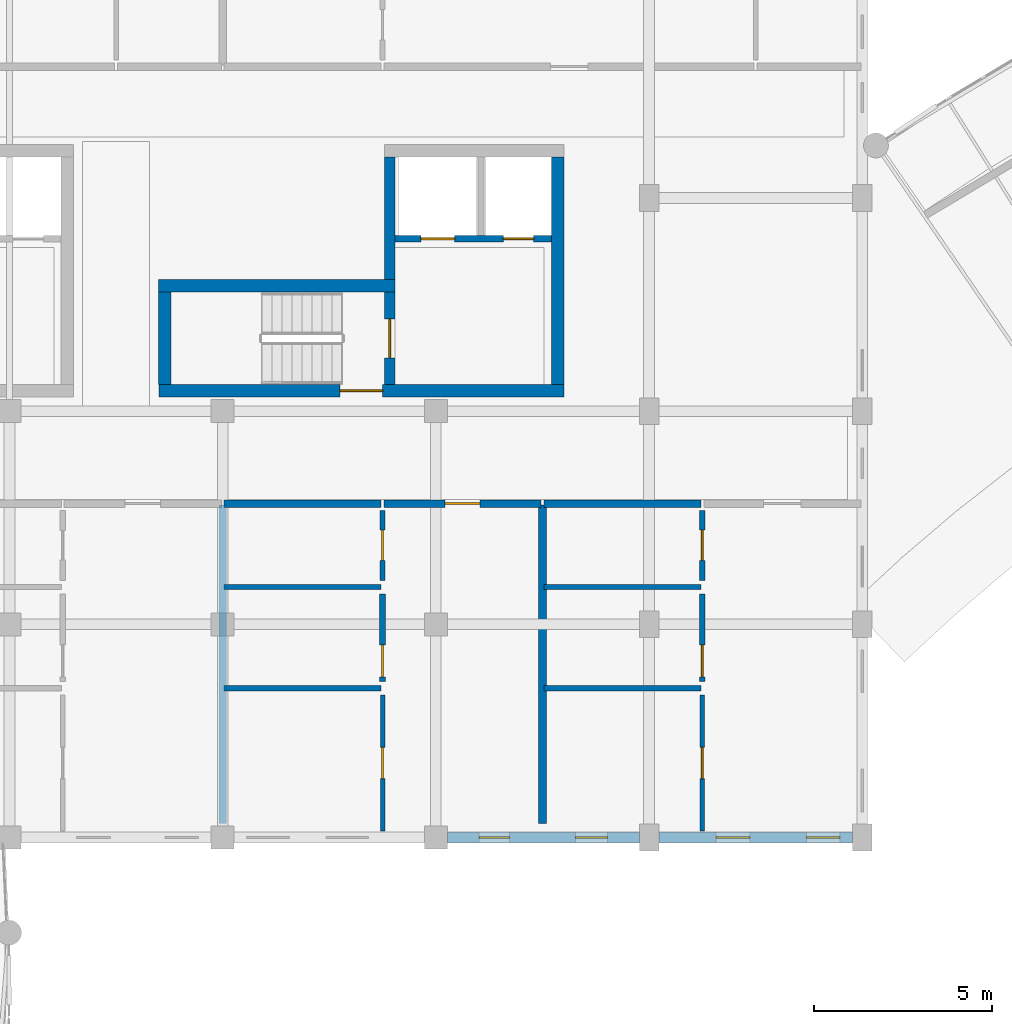
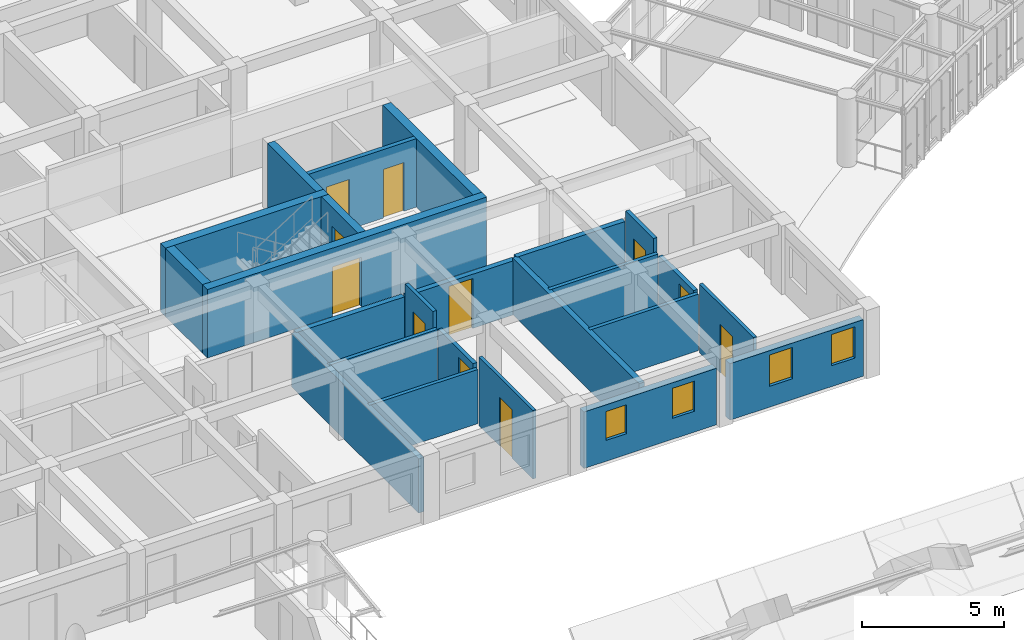
# One storey, part 90 of 123: 24 walls, 11 doors, 4 windows, 15 openings.
"""IFC4 building model written with IfcOpenShell, lengths in metres."""

from ifc_helpers import new_model, si_unit, direction, frame, frame_2d, origin, place, context, subcontext, project, spatial, rectangle, extrude, material, layer, layer_set, type_object, element, fill, save


model = new_model("IFC4")

# Units and contexts
model_context = context("Model", 3, precision=1e-05, world=origin(), true_north=direction((0.0, 1.0)))
body_context = subcontext(model_context, "Body", "Model", "MODEL_VIEW")
ifc_project = project(units=[si_unit("LENGTHUNIT", "METRE"), si_unit("AREAUNIT", "SQUARE_METRE"), si_unit("VOLUMEUNIT", "CUBIC_METRE"), si_unit("PLANEANGLEUNIT", "RADIAN"), si_unit("MASSUNIT", "GRAM", prefix="KILO"), si_unit("POWERUNIT", "WATT"), si_unit("THERMODYNAMICTEMPERATUREUNIT", "KELVIN")], contexts=[model_context])

# Site, building, storey
site_placement = place(None, origin())
site = spatial("IfcSite", under=ifc_project, at=site_placement, CompositionType="ELEMENT")
building_placement = place(site_placement, origin())
building = spatial("IfcBuilding", under=site, at=building_placement, Name="Ruvembo Vaulted Housing Court", CompositionType="ELEMENT")
storey_placement = place(building_placement, frame((0.0, 0.0, 7.699951171875)))
storey = spatial("IfcBuildingStorey", under=building, at=storey_placement, Name="L02", CompositionType="ELEMENT", Elevation=7.699951171875)

# Wall, opening, door
ifc_material_1 = material(Name="Concrete C35/45", Category="concrete")
ifc_layer_1 = layer(ifc_material_1, 0.300048828125, Name="Concrete C35/45")
ifc_layer_set_1 = layer_set([ifc_layer_1], Name="Concrete C35/45")
wall_type_1 = type_object("IfcWallType", Name="WL-CORE-300", PredefinedType="SHEAR", material=ifc_layer_set_1)
wall_1_placement = place(storey_placement, frame((70.699951171875, 90.75, 0.0), z_axis=(0.0, 0.0, 1.0), x_axis=(0.0, 1.0, 0.0)))
wall_1 = element("IfcWall", 1, at=wall_1_placement, inside=storey, type_object=wall_type_1, Name="Core B2 L02 Stair-Lobby Shear Wall", PredefinedType="SHEAR", context=body_context, shape_type="SweptSolid", body=[
    extrude(rectangle(XDim=2.60009765625, YDim=0.300048828125, at=frame_2d((1.300048828125, 0.0))), origin(), (0.0, 0.0, 1.0), 2.955078125),
])
opening_1_placement = place(wall_1_placement, frame((0.75, 0.0, 0.0)))
opening_1 = element("IfcOpeningElement", 2, at=opening_1_placement, cuts=wall_1, Name="Opening SD2", PredefinedType="OPENING", context=body_context, shape_type="SweptSolid", body=[
    extrude(rectangle(XDim=1.10009765625, YDim=2.14990234375, at=frame_2d((0.550048828125, 1.074951171875))), frame((0.0, 0.159912109375, 0.0), z_axis=(0.0, -1.0, 0.0), x_axis=(1.0, 0.0, 0.0)), (0.0, 0.0, 1.0), 0.320068359375),
])
ifc_material_2 = material(Name="Galvanised Painted Steel", Category="steel")
door_type_1 = type_object("IfcDoorType", Name="DR-STAIR-1100x2150", OperationType="NOTDEFINED", PredefinedType="DOOR", material=ifc_material_2)
door_1_placement = place(opening_1_placement, origin())
door_1 = element("IfcDoor", 3, at=door_1_placement, inside=storey, type_object=door_type_1, Name="Stair ST-B2 L02 Fire Door", OperationType="SINGLE_SWING_RIGHT", OverallHeight=2.14990234375, OverallWidth=1.10009765625, PredefinedType="DOOR", context=body_context, shape_type="SweptSolid", body=[
    extrude(rectangle(XDim=1.10009765625, YDim=2.14990234375, at=frame_2d((0.550048828125, 1.074951171875))), frame((0.0, 0.02490234375, 0.0), z_axis=(0.0, -1.0, 0.0), x_axis=(1.0, 0.0, 0.0)), (0.0, 0.0, 1.0), 0.050048828125),
])
fill(opening_1, door_1)

# Wall
wall_2_placement = place(storey_placement, frame((70.699951171875, 93.699951171875, 0.0), z_axis=(0.0, 0.0, 1.0), x_axis=(0.0, 1.0, 0.0)))
element("IfcWall", 4, at=wall_2_placement, inside=storey, type_object=wall_type_1, Name="Core B2 L02 Upper West Shear Wall", PredefinedType="SHEAR", context=body_context, shape_type="SweptSolid", body=[
    extrude(rectangle(XDim=3.449951171875, YDim=0.300048828125, at=frame_2d((1.72509765625, 0.0))), origin(), (0.0, 0.0, 1.0), 2.955078125),
])

# Wall, opening, door
ifc_layer_2 = layer(ifc_material_1, 0.35009765625, Name="Concrete C35/45")
ifc_layer_set_2 = layer_set([ifc_layer_2], Name="Concrete C35/45")
wall_type_2 = type_object("IfcWallType", Name="WL-CORE-350", PredefinedType="SHEAR", material=ifc_layer_set_2)
wall_3_placement = place(storey_placement, frame((64.199951171875, 90.574951171875, 0.0), z_axis=(0.0, 0.0, 1.0), x_axis=(1.0, 0.0, 0.0)))
wall_3 = element("IfcWall", 5, at=wall_3_placement, inside=storey, type_object=wall_type_2, Name="Core B2 L02 South Shear Wall", PredefinedType="SHEAR", context=body_context, shape_type="SweptSolid", body=[
    extrude(rectangle(XDim=11.400146484375, YDim=0.35009765625, at=frame_2d((5.7001953125, 0.0))), origin(), (0.0, 0.0, 1.0), 2.955078125),
])
opening_2_placement = place(wall_3_placement, frame((5.10009765625, 0.0, 0.0)))
opening_2 = element("IfcOpeningElement", 6, at=opening_2_placement, cuts=wall_3, Name="Opening LD3", PredefinedType="OPENING", context=body_context, shape_type="SweptSolid", body=[
    extrude(rectangle(XDim=1.199951171875, YDim=2.14990234375, at=frame_2d((0.60009765625, 1.074951171875))), frame((0.0, 0.18505859375, 0.0), z_axis=(0.0, -1.0, 0.0), x_axis=(1.0, 0.0, 0.0)), (0.0, 0.0, 1.0), 0.3701171875),
])
door_type_2 = type_object("IfcDoorType", Name="DR-LOB-1200x2150", OperationType="NOTDEFINED", PredefinedType="DOOR", material=ifc_material_2)
door_2_placement = place(opening_2_placement, origin())
door_2 = element("IfcDoor", 7, at=door_2_placement, inside=storey, type_object=door_type_2, Name="Core B2 L02 Lobby Fire Door", OperationType="SINGLE_SWING_LEFT", OverallHeight=2.14990234375, OverallWidth=1.199951171875, PredefinedType="DOOR", context=body_context, shape_type="SweptSolid", body=[
    extrude(rectangle(XDim=1.199951171875, YDim=2.14990234375, at=frame_2d((0.60009765625, 1.074951171875))), frame((0.0, 0.02490234375, 0.0), z_axis=(0.0, -1.0, 0.0), x_axis=(1.0, 0.0, 0.0)), (0.0, 0.0, 1.0), 0.050048828125),
])
fill(opening_2, door_2)

# Walls
wall_4_placement = place(storey_placement, frame((70.85009765625, 93.52490234375, 0.0), z_axis=(0.0, 0.0, 1.0), x_axis=(-1.0, 0.0, 0.0)))
element("IfcWall", 8, at=wall_4_placement, inside=storey, type_object=wall_type_2, Name="Core B2 L02 Stair North Shear Wall", PredefinedType="SHEAR", context=body_context, shape_type="SweptSolid", body=[
    extrude(rectangle(XDim=6.650146484375, YDim=0.35009765625, at=frame_2d((3.3251953125, 0.0))), origin(), (0.0, 0.0, 1.0), 2.955078125),
])
wall_5_placement = place(storey_placement, frame((64.375, 93.35009765625, 0.0), z_axis=(0.0, 0.0, 1.0), x_axis=(0.0, -1.0, 0.0)))
element("IfcWall", 9, at=wall_5_placement, inside=storey, type_object=wall_type_2, Name="Core B2 L02 Stair West Shear Wall", PredefinedType="SHEAR", context=body_context, shape_type="SweptSolid", body=[
    extrude(rectangle(XDim=2.60009765625, YDim=0.35009765625, at=frame_2d((1.300048828125, 0.0))), origin(), (0.0, 0.0, 1.0), 2.955078125),
])
wall_6_placement = place(storey_placement, frame((75.425048828125, 90.75, 0.0), z_axis=(0.0, 0.0, 1.0), x_axis=(0.0, 1.0, 0.0)))
element("IfcWall", 10, at=wall_6_placement, inside=storey, type_object=wall_type_2, Name="Core B2 L02 East Shear Wall", PredefinedType="SHEAR", context=body_context, shape_type="SweptSolid", body=[
    extrude(rectangle(XDim=6.39990234375, YDim=0.35009765625, at=frame_2d((3.199951171875, 0.0))), origin(), (0.0, 0.0, 1.0), 2.955078125),
])
ifc_material_3 = material(Name="Concrete Blockwork 210", Category="masonry")
ifc_layer_3 = layer(ifc_material_3, 0.2099609375, Name="Concrete Blockwork 210")
ifc_layer_set_3 = layer_set([ifc_layer_3], Name="Concrete Blockwork 210")
wall_type_3 = type_object("IfcWallType", Name="WL-CORR-210", PredefinedType="SOLIDWALL", material=ifc_layer_set_3)
wall_7_placement = place(storey_placement, frame((66.0400390625, 87.39990234375, 0.0), z_axis=(0.0, 0.0, 1.0), x_axis=(1.0, 0.0, 0.0)))
element("IfcWall", 11, at=wall_7_placement, inside=storey, type_object=wall_type_3, Name="L02 Flat B-L02-S3 Corridor Wall WL-INT-L02-00549", PredefinedType="SOLIDWALL", context=body_context, shape_type="SweptSolid", body=[
    extrude(rectangle(XDim=4.419921875, YDim=0.2099609375, at=frame_2d((2.2099609375, 0.0))), origin(), (0.0, 0.0, 1.0), 2.337158203125),
])

# Wall, opening, door
wall_8_placement = place(storey_placement, frame((70.5400390625, 87.39990234375, 0.0), z_axis=(0.0, 0.0, 1.0), x_axis=(1.0, 0.0, 0.0)))
wall_8 = element("IfcWall", 12, at=wall_8_placement, inside=storey, type_object=wall_type_3, Name="L02 Flat B-L02-S3 Entrance WL-INT-L02-00550", PredefinedType="SOLIDWALL", context=body_context, shape_type="SweptSolid", body=[
    extrude(rectangle(XDim=4.419921875, YDim=0.2099609375, at=frame_2d((2.2099609375, 0.0))), origin(), (0.0, 0.0, 1.0), 2.337158203125),
])
opening_3_placement = place(wall_8_placement, frame((1.719970703125, 0.0, 0.0)))
opening_3 = element("IfcOpeningElement", 13, at=opening_3_placement, cuts=wall_8, Name="Opening FD2", PredefinedType="OPENING", context=body_context, shape_type="SweptSolid", body=[
    extrude(rectangle(XDim=0.97998046875, YDim=2.14990234375, at=frame_2d((0.489990234375, 1.074951171875))), frame((0.0, 0.114990234375, 0.0), z_axis=(0.0, -1.0, 0.0), x_axis=(1.0, 0.0, 0.0)), (0.0, 0.0, 1.0), 0.22998046875),
])
ifc_material_4 = material(Name="FSC Hardwood and Engineered Timber", Category="wood")
door_type_3 = type_object("IfcDoorType", Name="DR-FLAT-0980x2150", OperationType="NOTDEFINED", PredefinedType="DOOR", material=ifc_material_4)
door_3_placement = place(opening_3_placement, origin())
door_3 = element("IfcDoor", 14, at=door_3_placement, inside=storey, type_object=door_type_3, Name="L02 Flat B-L02-S3 Entrance Door DR-INT-L02-00298", OperationType="SINGLE_SWING_RIGHT", OverallHeight=2.14990234375, OverallWidth=0.97998046875, PredefinedType="DOOR", context=body_context, shape_type="SweptSolid", body=[
    extrude(rectangle(XDim=0.97998046875, YDim=2.14990234375, at=frame_2d((0.489990234375, 1.074951171875))), frame((0.0, 0.02490234375, 0.0), z_axis=(0.0, -1.0, 0.0), x_axis=(1.0, 0.0, 0.0)), (0.0, 0.0, 1.0), 0.050048828125),
])
fill(opening_3, door_3)

# Walls
wall_9_placement = place(storey_placement, frame((75.0400390625, 87.39990234375, 0.0), z_axis=(0.0, 0.0, 1.0), x_axis=(1.0, 0.0, 0.0)))
element("IfcWall", 15, at=wall_9_placement, inside=storey, type_object=wall_type_3, Name="L02 Flat B-L02-S4 Corridor Wall WL-INT-L02-00556", PredefinedType="SOLIDWALL", context=body_context, shape_type="SweptSolid", body=[
    extrude(rectangle(XDim=4.419921875, YDim=0.2099609375, at=frame_2d((2.2099609375, 0.0))), origin(), (0.0, 0.0, 1.0), 2.43701171875),
])
ifc_material_5 = material(Name="Acoustic Masonry Demising 220", Category="masonry")
ifc_layer_4 = layer(ifc_material_5, 0.219970703125, Name="Acoustic Masonry Demising 220")
ifc_layer_set_4 = layer_set([ifc_layer_4], Name="Acoustic Masonry Demising 220")
wall_type_4 = type_object("IfcWallType", Name="WL-DEM-200", PredefinedType="SOLIDWALL", material=ifc_layer_set_4)
wall_10_placement = place(storey_placement, frame((66.0, 78.389892578125, 0.0), z_axis=(0.0, 0.0, 1.0), x_axis=(0.0, 1.0, 0.0)))
element("IfcWall", 16, at=wall_10_placement, inside=storey, type_object=wall_type_4, Name="L02 Demising B-L02-S2 WL-INT-L02-00540", PredefinedType="SOLIDWALL", context=body_context, shape_type="SweptSolid", body=[
    extrude(rectangle(XDim=8.97021484375, YDim=0.219970703125, at=frame_2d((4.485107421875, 0.0))), origin(), (0.0, 0.0, 1.0), 2.337158203125),
])
wall_11_placement = place(storey_placement, frame((75.0, 78.389892578125, 0.0), z_axis=(0.0, 0.0, 1.0), x_axis=(0.0, 1.0, 0.0)))
element("IfcWall", 17, at=wall_11_placement, inside=storey, type_object=wall_type_4, Name="L02 Demising B-L02-S3 WL-INT-L02-00548", PredefinedType="SOLIDWALL", context=body_context, shape_type="SweptSolid", body=[
    extrude(rectangle(XDim=8.97021484375, YDim=0.219970703125, at=frame_2d((4.485107421875, 0.0))), origin(), (0.0, 0.0, 1.0), 2.43701171875),
])

# Wall, openings, windows
ifc_material_6 = material(Name="Rendered Masonry 300", Category="masonry")
ifc_layer_5 = layer(ifc_material_6, 0.300048828125, Name="Rendered Masonry 300")
ifc_layer_set_5 = layer_set([ifc_layer_5], Name="Rendered Masonry 300")
wall_type_5 = type_object("IfcWallType", Name="WL-EXT-300", PredefinedType="STANDARD", material=ifc_layer_set_5)
wall_12_placement = place(storey_placement, frame((72.324951171875, 78.0, 0.0), z_axis=(0.0, 0.0, 1.0), x_axis=(1.0, 0.0, 0.0)))
wall_12 = element("IfcWall", 18, at=wall_12_placement, inside=storey, type_object=wall_type_5, Name="Block B L02 Exterior Wall COURTYARD #5", PredefinedType="STANDARD", context=body_context, shape_type="SweptSolid", body=[
    extrude(rectangle(XDim=5.400146484375, YDim=0.300048828125, at=frame_2d((2.7001953125, 0.0))), origin(), (0.0, 0.0, 1.0), 2.43701171875),
])
opening_4_placement = place(wall_12_placement, frame((0.892578125, 0.0, 0.89990234375)))
opening_4 = element("IfcOpeningElement", 19, at=opening_4_placement, cuts=wall_12, Name="Opening W03", PredefinedType="OPENING", context=body_context, shape_type="SweptSolid", body=[
    extrude(rectangle(XDim=0.85009765625, YDim=1.25, at=frame_2d((0.425048828125, 0.625))), frame((0.0, 0.159912109375, 0.0), z_axis=(0.0, -1.0, 0.0), x_axis=(1.0, 0.0, 0.0)), (0.0, 0.0, 1.0), 0.320068359375),
])
opening_5_placement = place(wall_12_placement, frame((3.607421875, 0.0, 0.89990234375)))
opening_5 = element("IfcOpeningElement", 20, at=opening_5_placement, cuts=wall_12, Name="Opening W04", PredefinedType="OPENING", context=body_context, shape_type="SweptSolid", body=[
    extrude(rectangle(XDim=0.89990234375, YDim=1.300048828125, at=frame_2d((0.449951171875, 0.64990234375))), frame((0.0, 0.159912109375, 0.0), z_axis=(0.0, -1.0, 0.0), x_axis=(1.0, 0.0, 0.0)), (0.0, 0.0, 1.0), 0.320068359375),
])
ifc_material_7 = material(Name="Double Solar-Control Glazing in Aluminium Frame", Category="aluminium")
window_type_1 = type_object("IfcWindowType", Name="WIN-0850x1250", PartitioningType="SINGLE_PANEL", PredefinedType="WINDOW", material=ifc_material_7)
window_1_placement = place(opening_4_placement, origin())
window_1 = element("IfcWindow", 21, at=window_1_placement, inside=storey, type_object=window_type_1, Name="Block B L02 Window #691", OverallHeight=1.25, OverallWidth=0.85009765625, PartitioningType="SINGLE_PANEL", PredefinedType="WINDOW", context=body_context, shape_type="SweptSolid", body=[
    extrude(rectangle(XDim=0.85009765625, YDim=1.25, at=frame_2d((0.425048828125, 0.625))), frame((0.0, 0.030029296875, 0.0), z_axis=(0.0, -1.0, 0.0), x_axis=(1.0, 0.0, 0.0)), (0.0, 0.0, 1.0), 0.06005859375),
])
fill(opening_4, window_1)
window_type_2 = type_object("IfcWindowType", Name="WIN-0900x1300", PartitioningType="SINGLE_PANEL", PredefinedType="WINDOW", material=ifc_material_7)
window_2_placement = place(opening_5_placement, origin())
window_2 = element("IfcWindow", 22, at=window_2_placement, inside=storey, type_object=window_type_2, Name="Block B L02 Window #692", OverallHeight=1.300048828125, OverallWidth=0.89990234375, PartitioningType="SINGLE_PANEL", PredefinedType="WINDOW", context=body_context, shape_type="SweptSolid", body=[
    extrude(rectangle(XDim=0.89990234375, YDim=1.300048828125, at=frame_2d((0.449951171875, 0.64990234375))), frame((0.0, 0.030029296875, 0.0), z_axis=(0.0, -1.0, 0.0), x_axis=(1.0, 0.0, 0.0)), (0.0, 0.0, 1.0), 0.06005859375),
])
fill(opening_5, window_2)

wall_13_placement = place(storey_placement, frame((78.27490234375, 78.0, 0.0), z_axis=(0.0, 0.0, 1.0), x_axis=(1.0, 0.0, 0.0)))
wall_13 = element("IfcWall", 23, at=wall_13_placement, inside=storey, type_object=wall_type_5, Name="Block B L02 Exterior Wall COURTYARD #6", PredefinedType="STANDARD", context=body_context, shape_type="SweptSolid", body=[
    extrude(rectangle(XDim=5.4501953125, YDim=0.300048828125, at=frame_2d((2.72509765625, 0.0))), origin(), (0.0, 0.0, 1.0), 2.43701171875),
])
opening_6_placement = place(wall_13_placement, frame((1.614990234375, 0.0, 0.89990234375)))
opening_6 = element("IfcOpeningElement", 24, at=opening_6_placement, cuts=wall_13, Name="Opening W07", PredefinedType="OPENING", context=body_context, shape_type="SweptSolid", body=[
    extrude(rectangle(XDim=0.949951171875, YDim=1.35009765625, at=frame_2d((0.47509765625, 0.675048828125))), frame((0.0, 0.159912109375, 0.0), z_axis=(0.0, -1.0, 0.0), x_axis=(1.0, 0.0, 0.0)), (0.0, 0.0, 1.0), 0.320068359375),
])
opening_7_placement = place(wall_13_placement, frame((4.14990234375, 0.0, 0.89990234375)))
opening_7 = element("IfcOpeningElement", 25, at=opening_7_placement, cuts=wall_13, Name="Opening W07", PredefinedType="OPENING", context=body_context, shape_type="SweptSolid", body=[
    extrude(rectangle(XDim=0.949951171875, YDim=1.35009765625, at=frame_2d((0.47509765625, 0.675048828125))), frame((0.0, 0.159912109375, 0.0), z_axis=(0.0, -1.0, 0.0), x_axis=(1.0, 0.0, 0.0)), (0.0, 0.0, 1.0), 0.320068359375),
])
window_type_3 = type_object("IfcWindowType", Name="WIN-0950x1350", PartitioningType="SINGLE_PANEL", PredefinedType="WINDOW", material=ifc_material_7)
window_3_placement = place(opening_6_placement, origin())
window_3 = element("IfcWindow", 26, at=window_3_placement, inside=storey, type_object=window_type_3, Name="Block B L02 Window #693", OverallHeight=1.35009765625, OverallWidth=0.949951171875, PartitioningType="SINGLE_PANEL", PredefinedType="WINDOW", context=body_context, shape_type="SweptSolid", body=[
    extrude(rectangle(XDim=0.949951171875, YDim=1.35009765625, at=frame_2d((0.47509765625, 0.675048828125))), frame((0.0, 0.030029296875, 0.0), z_axis=(0.0, -1.0, 0.0), x_axis=(1.0, 0.0, 0.0)), (0.0, 0.0, 1.0), 0.06005859375),
])
fill(opening_6, window_3)
window_4_placement = place(opening_7_placement, origin())
window_4 = element("IfcWindow", 27, at=window_4_placement, inside=storey, type_object=window_type_3, Name="Block B L02 Window #694", OverallHeight=1.35009765625, OverallWidth=0.949951171875, PartitioningType="SINGLE_PANEL", PredefinedType="WINDOW", context=body_context, shape_type="SweptSolid", body=[
    extrude(rectangle(XDim=0.949951171875, YDim=1.35009765625, at=frame_2d((0.47509765625, 0.675048828125))), frame((0.0, 0.030029296875, 0.0), z_axis=(0.0, -1.0, 0.0), x_axis=(1.0, 0.0, 0.0)), (0.0, 0.0, 1.0), 0.06005859375),
])
fill(opening_7, window_4)

# Wall, opening, door
ifc_material_8 = material(Name="Plasterboard Stud Partition 125", Category="gypsum")
ifc_layer_6 = layer(ifc_material_8, 0.125, Name="Plasterboard Stud Partition 125")
ifc_layer_set_6 = layer_set([ifc_layer_6], Name="Plasterboard Stud Partition 125")
wall_type_6 = type_object("IfcWallType", Name="WL-PART-125", PredefinedType="PARTITIONING", material=ifc_layer_set_6)
wall_14_placement = place(storey_placement, frame((70.5, 78.18994140625, 0.0), z_axis=(0.0, 0.0, 1.0), x_axis=(0.0, 1.0, 0.0)))
wall_14 = element("IfcWall", 28, at=wall_14_placement, inside=storey, type_object=wall_type_6, Name="L02 Flat B-L02-S3 Bedroom 1 WL-INT-L02-00551", PredefinedType="PARTITIONING", context=body_context, shape_type="SweptSolid", body=[
    extrude(rectangle(XDim=3.820068359375, YDim=0.125, at=frame_2d((1.91015625, 0.0))), origin(), (0.0, 0.0, 1.0), 2.955078125),
])
opening_8_placement = place(wall_14_placement, frame((1.469970703125, 0.0, 0.0)))
opening_8 = element("IfcOpeningElement", 29, at=opening_8_placement, cuts=wall_14, Name="Opening ID3", PredefinedType="OPENING", context=body_context, shape_type="SweptSolid", body=[
    extrude(rectangle(XDim=0.8798828125, YDim=2.10009765625, at=frame_2d((0.43994140625, 1.050048828125))), frame((0.0, 0.072509765625, 0.0), z_axis=(0.0, -1.0, 0.0), x_axis=(1.0, 0.0, 0.0)), (0.0, 0.0, 1.0), 0.14501953125),
])
door_type_4 = type_object("IfcDoorType", Name="DR-ROOM-0880x2100", OperationType="NOTDEFINED", PredefinedType="DOOR", material=ifc_material_4)
door_4_placement = place(opening_8_placement, origin())
door_4 = element("IfcDoor", 30, at=door_4_placement, inside=storey, type_object=door_type_4, Name="L02 Flat B-L02-S3 Bedroom 1 Door DR-INT-L02-00299", OperationType="SINGLE_SWING_LEFT", OverallHeight=2.10009765625, OverallWidth=0.8798828125, PredefinedType="DOOR", context=body_context, shape_type="SweptSolid", body=[
    extrude(rectangle(XDim=0.8798828125, YDim=2.10009765625, at=frame_2d((0.43994140625, 1.050048828125))), frame((0.0, 0.02490234375, 0.0), z_axis=(0.0, -1.0, 0.0), x_axis=(1.0, 0.0, 0.0)), (0.0, 0.0, 1.0), 0.050048828125),
])
fill(opening_8, door_4)

ifc_material_9 = material(Name="Acoustic Stud Partition 135", Category="gypsum")
ifc_layer_7 = layer(ifc_material_9, 0.135009765625, Name="Acoustic Stud Partition 135")
ifc_layer_set_7 = layer_set([ifc_layer_7], Name="Acoustic Stud Partition 135")
wall_type_7 = type_object("IfcWallType", Name="WL-PART-135", PredefinedType="PARTITIONING", material=ifc_layer_set_7)
wall_15_placement = place(storey_placement, frame((79.5, 78.18994140625, 0.0), z_axis=(0.0, 0.0, 1.0), x_axis=(0.0, 1.0, 0.0)))
wall_15 = element("IfcWall", 31, at=wall_15_placement, inside=storey, type_object=wall_type_7, Name="L02 Flat B-L02-S4 Bedroom 1 WL-INT-L02-00558", PredefinedType="PARTITIONING", context=body_context, shape_type="SweptSolid", body=[
    extrude(rectangle(XDim=3.820068359375, YDim=0.135009765625, at=frame_2d((1.91015625, 0.0))), origin(), (0.0, 0.0, 1.0), 2.955078125),
])
opening_9_placement = place(wall_15_placement, frame((1.469970703125, 0.0, 0.0)))
opening_9 = element("IfcOpeningElement", 32, at=opening_9_placement, cuts=wall_15, Name="Opening ID3", PredefinedType="OPENING", context=body_context, shape_type="SweptSolid", body=[
    extrude(rectangle(XDim=0.8798828125, YDim=2.10009765625, at=frame_2d((0.43994140625, 1.050048828125))), frame((0.0, 0.077392578125, 0.0), z_axis=(0.0, -1.0, 0.0), x_axis=(1.0, 0.0, 0.0)), (0.0, 0.0, 1.0), 0.155029296875),
])
door_5_placement = place(opening_9_placement, origin())
door_5 = element("IfcDoor", 33, at=door_5_placement, inside=storey, type_object=door_type_4, Name="L02 Flat B-L02-S4 Bedroom 1 Door DR-INT-L02-00303", OperationType="SINGLE_SWING_LEFT", OverallHeight=2.10009765625, OverallWidth=0.8798828125, PredefinedType="DOOR", context=body_context, shape_type="SweptSolid", body=[
    extrude(rectangle(XDim=0.8798828125, YDim=2.10009765625, at=frame_2d((0.43994140625, 1.050048828125))), frame((0.0, 0.02490234375, 0.0), z_axis=(0.0, -1.0, 0.0), x_axis=(1.0, 0.0, 0.0)), (0.0, 0.0, 1.0), 0.050048828125),
])
fill(opening_9, door_5)

ifc_material_10 = material(Name="Moisture-Resistant Wet Partition 150", Category="gypsum")
ifc_layer_8 = layer(ifc_material_10, 0.14990234375, Name="Moisture-Resistant Wet Partition 150")
ifc_layer_set_8 = layer_set([ifc_layer_8], Name="Moisture-Resistant Wet Partition 150")
wall_type_8 = type_object("IfcWallType", Name="WL-PART-150", PredefinedType="PARTITIONING", material=ifc_layer_set_8)
wall_16_placement = place(storey_placement, frame((70.5, 85.239990234375, 0.0), z_axis=(0.0, 0.0, 1.0), x_axis=(0.0, 1.0, 0.0)))
wall_16 = element("IfcWall", 34, at=wall_16_placement, inside=storey, type_object=wall_type_8, Name="L02 Flat B-L02-S3 Bathroom WL-INT-L02-00553", PredefinedType="PARTITIONING", context=body_context, shape_type="SweptSolid", body=[
    extrude(rectangle(XDim=1.969970703125, YDim=0.14990234375, at=frame_2d((0.98486328125, 0.0))), origin(), (0.0, 0.0, 1.0), 2.955078125),
])
opening_10_placement = place(wall_16_placement, frame((0.56005859375, 0.0, 0.0)))
opening_10 = element("IfcOpeningElement", 35, at=opening_10_placement, cuts=wall_16, Name="Opening ID2", PredefinedType="OPENING", context=body_context, shape_type="SweptSolid", body=[
    extrude(rectangle(XDim=0.85009765625, YDim=2.10009765625, at=frame_2d((0.425048828125, 1.050048828125))), frame((0.0, 0.0849609375, 0.0), z_axis=(0.0, -1.0, 0.0), x_axis=(1.0, 0.0, 0.0)), (0.0, 0.0, 1.0), 0.169921875),
])
door_type_5 = type_object("IfcDoorType", Name="DR-WET-0850x2100", OperationType="NOTDEFINED", PredefinedType="DOOR", material=ifc_material_4)
door_6_placement = place(opening_10_placement, origin())
door_6 = element("IfcDoor", 36, at=door_6_placement, inside=storey, type_object=door_type_5, Name="L02 Flat B-L02-S3 Bathroom Door DR-INT-L02-00301", OperationType="SINGLE_SWING_LEFT", OverallHeight=2.10009765625, OverallWidth=0.85009765625, PredefinedType="DOOR", context=body_context, shape_type="SweptSolid", body=[
    extrude(rectangle(XDim=0.85009765625, YDim=2.10009765625, at=frame_2d((0.425048828125, 1.050048828125))), frame((0.0, 0.02490234375, 0.0), z_axis=(0.0, -1.0, 0.0), x_axis=(1.0, 0.0, 0.0)), (0.0, 0.0, 1.0), 0.050048828125),
])
fill(opening_10, door_6)

# Walls
for number, where, z_axis, x_axis, name in (
    (37, (66.0400390625, 82.199951171875, 0.0), (0.0, 0.0, 1.0), (1.0, 0.0, 0.0), "L02 Flat B-L02-S3 Wet Wall 1 WL-INT-L02-00554"),
    (38, (66.0400390625, 85.050048828125, 0.0), (0.0, 0.0, 1.0), (1.0, 0.0, 0.0), "L02 Flat B-L02-S3 Wet Wall 2 WL-INT-L02-00555"),
):
    element("IfcWall", number, at=place(storey_placement, frame(where, z_axis=z_axis, x_axis=x_axis)), inside=storey, type_object=wall_type_8, Name=name, PredefinedType="PARTITIONING", context=body_context, shape_type="SweptSolid", body=[
        extrude(rectangle(XDim=4.419921875, YDim=0.14990234375, at=frame_2d((2.2099609375, 0.0))), origin(), (0.0, 0.0, 1.0), 2.337158203125),
    ])

# Wall, opening, door
wall_17_placement = place(storey_placement, frame((79.5, 85.239990234375, 0.0), z_axis=(0.0, 0.0, 1.0), x_axis=(0.0, 1.0, 0.0)))
wall_17 = element("IfcWall", 39, at=wall_17_placement, inside=storey, type_object=wall_type_8, Name="L02 Flat B-L02-S4 Bathroom WL-INT-L02-00560", PredefinedType="PARTITIONING", context=body_context, shape_type="SweptSolid", body=[
    extrude(rectangle(XDim=1.969970703125, YDim=0.14990234375, at=frame_2d((0.98486328125, 0.0))), origin(), (0.0, 0.0, 1.0), 2.955078125),
])
opening_11_placement = place(wall_17_placement, frame((0.56005859375, 0.0, 0.0)))
opening_11 = element("IfcOpeningElement", 40, at=opening_11_placement, cuts=wall_17, Name="Opening ID2", PredefinedType="OPENING", context=body_context, shape_type="SweptSolid", body=[
    extrude(rectangle(XDim=0.85009765625, YDim=2.10009765625, at=frame_2d((0.425048828125, 1.050048828125))), frame((0.0, 0.0849609375, 0.0), z_axis=(0.0, -1.0, 0.0), x_axis=(1.0, 0.0, 0.0)), (0.0, 0.0, 1.0), 0.169921875),
])
door_7_placement = place(opening_11_placement, origin())
door_7 = element("IfcDoor", 41, at=door_7_placement, inside=storey, type_object=door_type_5, Name="L02 Flat B-L02-S4 Bathroom Door DR-INT-L02-00305", OperationType="SINGLE_SWING_LEFT", OverallHeight=2.10009765625, OverallWidth=0.85009765625, PredefinedType="DOOR", context=body_context, shape_type="SweptSolid", body=[
    extrude(rectangle(XDim=0.85009765625, YDim=2.10009765625, at=frame_2d((0.425048828125, 1.050048828125))), frame((0.0, 0.02490234375, 0.0), z_axis=(0.0, -1.0, 0.0), x_axis=(1.0, 0.0, 0.0)), (0.0, 0.0, 1.0), 0.050048828125),
])
fill(opening_11, door_7)

# Walls
for number, where, z_axis, x_axis, name in (
    (42, (75.0400390625, 82.199951171875, 0.0), (0.0, 0.0, 1.0), (1.0, 0.0, 0.0), "L02 Flat B-L02-S4 Wet Wall 1 WL-INT-L02-00561"),
    (43, (75.0400390625, 85.050048828125, 0.0), (0.0, 0.0, 1.0), (1.0, 0.0, 0.0), "L02 Flat B-L02-S4 Wet Wall 2 WL-INT-L02-00562"),
):
    element("IfcWall", number, at=place(storey_placement, frame(where, z_axis=z_axis, x_axis=x_axis)), inside=storey, type_object=wall_type_8, Name=name, PredefinedType="PARTITIONING", context=body_context, shape_type="SweptSolid", body=[
        extrude(rectangle(XDim=4.419921875, YDim=0.14990234375, at=frame_2d((2.2099609375, 0.0))), origin(), (0.0, 0.0, 1.0), 2.43701171875),
    ])

# Wall, opening, door
ifc_material_11 = material(Name="Acoustic Service Chase Wall 160", Category="gypsum")
ifc_layer_9 = layer(ifc_material_11, 0.159912109375, Name="Acoustic Service Chase Wall 160")
ifc_layer_set_9 = layer_set([ifc_layer_9], Name="Acoustic Service Chase Wall 160")
wall_type_9 = type_object("IfcWallType", Name="WL-PLUMB-160", PredefinedType="PLUMBINGWALL", material=ifc_layer_set_9)
wall_18_placement = place(storey_placement, frame((70.5, 82.389892578125, 0.0), z_axis=(0.0, 0.0, 1.0), x_axis=(0.0, 1.0, 0.0)))
wall_18 = element("IfcWall", 44, at=wall_18_placement, inside=storey, type_object=wall_type_9, Name="L02 Flat B-L02-S3 Kitchen WL-INT-L02-00552", PredefinedType="PLUMBINGWALL", context=body_context, shape_type="SweptSolid", body=[
    extrude(rectangle(XDim=2.47021484375, YDim=0.159912109375, at=frame_2d((1.235107421875, 0.0))), origin(), (0.0, 0.0, 1.0), 2.43701171875),
])
opening_12_placement = place(wall_18_placement, frame((0.1298828125, 0.0, 0.0)))
opening_12 = element("IfcOpeningElement", 45, at=opening_12_placement, cuts=wall_18, Name="Opening ID1", PredefinedType="OPENING", context=body_context, shape_type="SweptSolid", body=[
    extrude(rectangle(XDim=0.89990234375, YDim=2.10009765625, at=frame_2d((0.449951171875, 1.050048828125))), frame((0.0, 0.08984375, 0.0), z_axis=(0.0, -1.0, 0.0), x_axis=(1.0, 0.0, 0.0)), (0.0, 0.0, 1.0), 0.179931640625),
])
door_type_6 = type_object("IfcDoorType", Name="DR-ROOM-0900x2100", OperationType="NOTDEFINED", PredefinedType="DOOR", material=ifc_material_4)
door_8_placement = place(opening_12_placement, origin())
door_8 = element("IfcDoor", 46, at=door_8_placement, inside=storey, type_object=door_type_6, Name="L02 Flat B-L02-S3 Kitchen Door DR-INT-L02-00300", OperationType="SINGLE_SWING_RIGHT", OverallHeight=2.10009765625, OverallWidth=0.89990234375, PredefinedType="DOOR", context=body_context, shape_type="SweptSolid", body=[
    extrude(rectangle(XDim=0.89990234375, YDim=2.10009765625, at=frame_2d((0.449951171875, 1.050048828125))), frame((0.0, 0.02490234375, 0.0), z_axis=(0.0, -1.0, 0.0), x_axis=(1.0, 0.0, 0.0)), (0.0, 0.0, 1.0), 0.050048828125),
])
fill(opening_12, door_8)

wall_19_placement = place(storey_placement, frame((79.5, 82.389892578125, 0.0), z_axis=(0.0, 0.0, 1.0), x_axis=(0.0, 1.0, 0.0)))
wall_19 = element("IfcWall", 47, at=wall_19_placement, inside=storey, type_object=wall_type_9, Name="L02 Flat B-L02-S4 Kitchen WL-INT-L02-00559", PredefinedType="PLUMBINGWALL", context=body_context, shape_type="SweptSolid", body=[
    extrude(rectangle(XDim=2.47021484375, YDim=0.159912109375, at=frame_2d((1.235107421875, 0.0))), origin(), (0.0, 0.0, 1.0), 2.43701171875),
])
opening_13_placement = place(wall_19_placement, frame((0.1298828125, 0.0, 0.0)))
opening_13 = element("IfcOpeningElement", 48, at=opening_13_placement, cuts=wall_19, Name="Opening ID1", PredefinedType="OPENING", context=body_context, shape_type="SweptSolid", body=[
    extrude(rectangle(XDim=0.89990234375, YDim=2.10009765625, at=frame_2d((0.449951171875, 1.050048828125))), frame((0.0, 0.08984375, 0.0), z_axis=(0.0, -1.0, 0.0), x_axis=(1.0, 0.0, 0.0)), (0.0, 0.0, 1.0), 0.179931640625),
])
door_9_placement = place(opening_13_placement, origin())
door_9 = element("IfcDoor", 49, at=door_9_placement, inside=storey, type_object=door_type_6, Name="L02 Flat B-L02-S4 Kitchen Door DR-INT-L02-00304", OperationType="SINGLE_SWING_RIGHT", OverallHeight=2.10009765625, OverallWidth=0.89990234375, PredefinedType="DOOR", context=body_context, shape_type="SweptSolid", body=[
    extrude(rectangle(XDim=0.89990234375, YDim=2.10009765625, at=frame_2d((0.449951171875, 1.050048828125))), frame((0.0, 0.02490234375, 0.0), z_axis=(0.0, -1.0, 0.0), x_axis=(1.0, 0.0, 0.0)), (0.0, 0.0, 1.0), 0.050048828125),
])
fill(opening_13, door_9)

# Wall, openings, doors
ifc_material_12 = material(Name="Fire-Rated Masonry Shaft 180", Category="masonry")
ifc_layer_10 = layer(ifc_material_12, 0.179931640625, Name="Fire-Rated Masonry Shaft 180")
ifc_layer_set_10 = layer_set([ifc_layer_10], Name="Fire-Rated Masonry Shaft 180")
wall_type_10 = type_object("IfcWallType", Name="WL-SHAFT-180", PredefinedType="SOLIDWALL", material=ifc_layer_set_10)
wall_20_placement = place(storey_placement, frame((70.85009765625, 94.85009765625, 0.0), z_axis=(0.0, 0.0, 1.0), x_axis=(1.0, 0.0, 0.0)))
wall_20 = element("IfcWall", 50, at=wall_20_placement, inside=storey, type_object=wall_type_10, Name="Core B2 L02 Lift and Riser Front Wall", PredefinedType="SOLIDWALL", context=body_context, shape_type="SweptSolid", body=[
    extrude(rectangle(XDim=4.39990234375, YDim=0.179931640625, at=frame_2d((2.199951171875, 0.0))), origin(), (0.0, 0.0, 1.0), 2.955078125),
])
opening_14_placement = place(wall_20_placement, frame((0.72509765625, 0.0, 0.0)))
opening_14 = element("IfcOpeningElement", 51, at=opening_14_placement, cuts=wall_20, Name="Opening LD-LP-B2-L02", PredefinedType="OPENING", context=body_context, shape_type="SweptSolid", body=[
    extrude(rectangle(XDim=0.949951171875, YDim=2.14990234375, at=frame_2d((0.47509765625, 1.074951171875))), frame((0.0, 0.099853515625, 0.0), z_axis=(0.0, -1.0, 0.0), x_axis=(1.0, 0.0, 0.0)), (0.0, 0.0, 1.0), 0.199951171875),
])
opening_15_placement = place(wall_20_placement, frame((3.050048828125, 0.0, 0.0)))
opening_15 = element("IfcOpeningElement", 52, at=opening_15_placement, cuts=wall_20, Name="Opening RD1", PredefinedType="OPENING", context=body_context, shape_type="SweptSolid", body=[
    extrude(rectangle(XDim=0.85009765625, YDim=2.10009765625, at=frame_2d((0.425048828125, 1.050048828125))), frame((0.0, 0.099853515625, 0.0), z_axis=(0.0, -1.0, 0.0), x_axis=(1.0, 0.0, 0.0)), (0.0, 0.0, 1.0), 0.199951171875),
])
ifc_material_13 = material(Name="Brushed Stainless Steel 304", Category="steel")
door_type_7 = type_object("IfcDoorType", Name="DR-LIFT-0950x2150", OperationType="NOTDEFINED", PredefinedType="DOOR", material=ifc_material_13)
door_10_placement = place(opening_14_placement, origin())
door_10 = element("IfcDoor", 53, at=door_10_placement, inside=storey, type_object=door_type_7, Name="Lift LP-B2 L02 Sliding Landing Door", OperationType="SLIDING_TO_LEFT", OverallHeight=2.14990234375, OverallWidth=0.949951171875, PredefinedType="DOOR", context=body_context, shape_type="SweptSolid", body=[
    extrude(rectangle(XDim=0.949951171875, YDim=2.14990234375, at=frame_2d((0.47509765625, 1.074951171875))), frame((0.0, 0.02490234375, 0.0), z_axis=(0.0, -1.0, 0.0), x_axis=(1.0, 0.0, 0.0)), (0.0, 0.0, 1.0), 0.050048828125),
])
fill(opening_14, door_10)
door_type_8 = type_object("IfcDoorType", Name="DR-RISER-0850x2100", OperationType="NOTDEFINED", PredefinedType="DOOR", material=ifc_material_2)
door_11_placement = place(opening_15_placement, frame((0.85009765625, 0.0, 0.0), z_axis=(0.0, 0.0, 1.0), x_axis=(-1.0, 0.0, 0.0)))
door_11 = element("IfcDoor", 54, at=door_11_placement, inside=storey, type_object=door_type_8, Name="Core B2 L02 Service Riser Door", OperationType="SINGLE_SWING_LEFT", OverallHeight=2.10009765625, OverallWidth=0.85009765625, PredefinedType="DOOR", context=body_context, shape_type="SweptSolid", body=[
    extrude(rectangle(XDim=0.85009765625, YDim=2.10009765625, at=frame_2d((0.425048828125, 1.050048828125))), frame((0.0, 0.02490234375, 0.0), z_axis=(0.0, -1.0, 0.0), x_axis=(1.0, 0.0, 0.0)), (0.0, 0.0, 1.0), 0.050048828125),
])
fill(opening_15, door_11)

save(model, "model.ifc")
